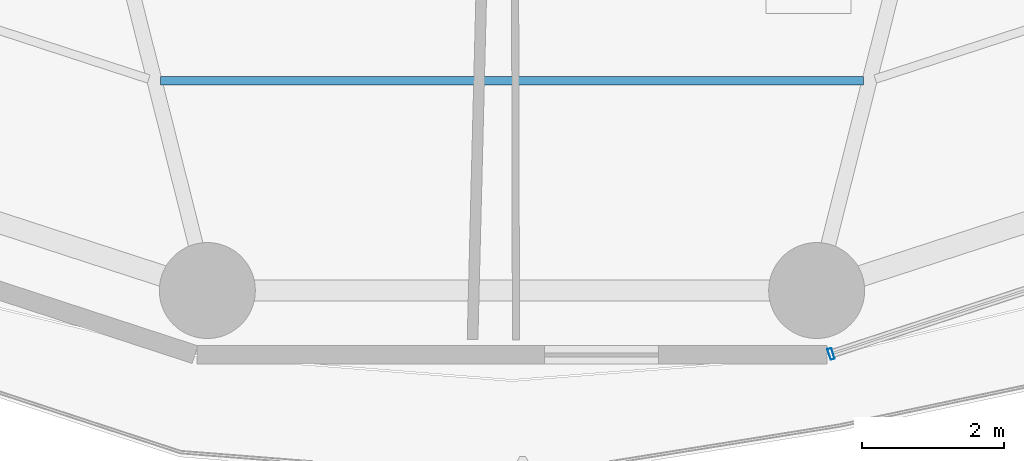
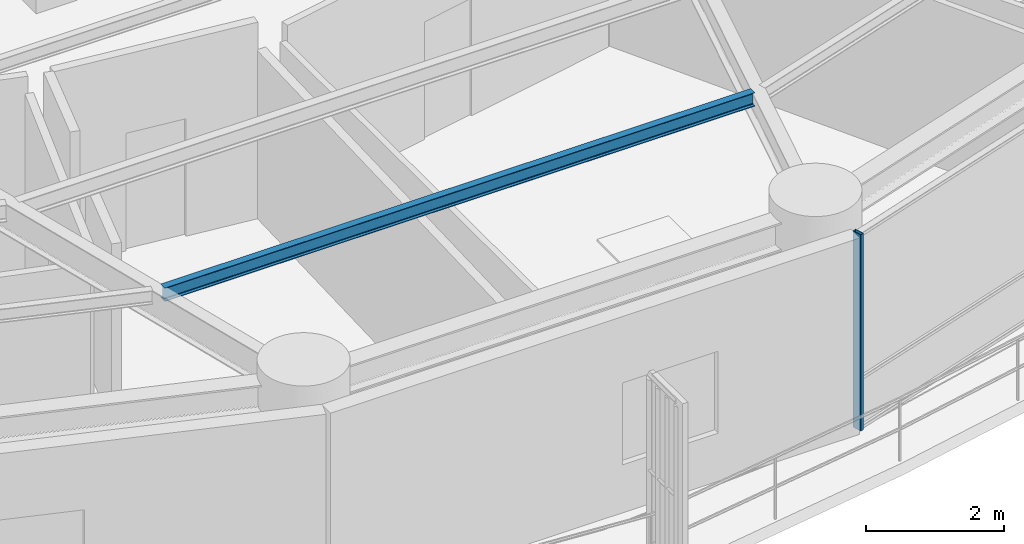
# One storey, part 4 of 35: 1 beam, 1 member, 1 element without a shape of its own.
"""IFC4 building model written with IfcOpenShell, lengths in metres."""

from ifc_helpers import new_model, si_unit, direction, frame, origin, origin_2d, place, context, subcontext, project, spatial, hollow_rectangle, i_section, extrude, material, layer, layer_set, material_profile, profile_set, type_object, element, aggregate, save


model = new_model("IFC4")

# Units and contexts
model_context = context("Model", 3, precision=1e-05, world=origin(), true_north=direction((0.0, 1.0)))
body_context = subcontext(model_context, "Body", "Model", "MODEL_VIEW")
ifc_project = project(units=[si_unit("LENGTHUNIT", "METRE"), si_unit("AREAUNIT", "SQUARE_METRE"), si_unit("VOLUMEUNIT", "CUBIC_METRE"), si_unit("PLANEANGLEUNIT", "RADIAN"), si_unit("MASSUNIT", "GRAM", prefix="KILO")], contexts=[model_context])

# Site, building, storey
site_placement = place(None, origin())
site = spatial("IfcSite", under=ifc_project, at=site_placement, CompositionType="ELEMENT")
building_placement = place(site_placement, origin())
building = spatial("IfcBuilding", under=site, at=building_placement, Name="Kelanora Arch Commons", CompositionType="ELEMENT")
storey_placement = place(building_placement, frame((0.0, 0.0, 121.35009765625)))
storey = spatial("IfcBuildingStorey", under=building, at=storey_placement, Name="L31", CompositionType="ELEMENT", Elevation=121.35009765625)

# Beam
ifc_material_1 = material(Name="Steel S355", Category="steel")
ifc_material_profile_1 = material_profile(ifc_material_1, i_section(OverallWidth=0.1201171875, OverallDepth=0.239990234375, WebThickness=0.006103515625, FlangeThickness=0.009765625, FilletRadius=0.014892578125, at=origin_2d()), Name="IPE240")
ifc_profile_set_1 = profile_set([ifc_material_profile_1], Name="Steel S355")
beam_type = type_object("IfcBeamType", Name="BM-JST-02", PredefinedType="JOIST", material=ifc_profile_set_1)
beam_placement = place(storey_placement, frame((69.056396484375, 39.204345703125, 3.369873046875), z_axis=(1.0, 0.0, 0.0), x_axis=(0.0, 1.0, 0.0)))
element("IfcBeam", 1, at=beam_placement, inside=storey, type_object=beam_type, Name="Secondary Chord Joist BJC-26 L31", PredefinedType="JOIST", context=body_context, shape_type="SweptSolid", body=[
    extrude(i_section(OverallWidth=0.1201171875, OverallDepth=0.239990234375, WebThickness=0.006103515625, FlangeThickness=0.009765625, FilletRadius=0.014892578125, at=origin_2d()), origin(), (0.0, 0.0, 1.0), 9.88720703125),
])

# Curtain wall, member
ifc_material_2 = material(Name="Terracotta ceramic-fritted low-E glass and aluminium", Category="masonry")
ifc_layer = layer(ifc_material_2, 0.159912109375)
ifc_layer_set = layer_set([ifc_layer], Name="Terracotta ceramic-fritted low-E glass and aluminium")
curtain_wall_type = type_object("IfcCurtainWallType", Name="CW-SYS-01", PredefinedType="NOTDEFINED", material=ifc_layer_set)
curtain_wall_placement = place(storey_placement, origin())
curtain_wall = element("IfcCurtainWall", 2, at=curtain_wall_placement, inside=storey, type_object=curtain_wall_type, Name="Unitised Curtain Wall L31-B14", PredefinedType="NOTDEFINED")
ifc_material_3 = material(Name="Powder-coated aluminium terracotta", Category="masonry")
ifc_material_profile_2 = material_profile(ifc_material_3, hollow_rectangle(XDim=0.159912109375, YDim=0.06005859375, WallThickness=0.0048828125, InnerFilletRadius=0.0048828125, OuterFilletRadius=0.010009765625, at=origin_2d()), Name="CWM160x60")
ifc_profile_set_2 = profile_set([ifc_material_profile_2], Name="Powder-coated aluminium terracotta")
member_type = type_object("IfcMemberType", Name="CWM-STD", PredefinedType="MULLION", material=ifc_profile_set_2)
member_placement = place(storey_placement, frame((78.48828125, 35.363525390625, 0.0), z_axis=(0.0, 0.0, 1.0), x_axis=(-0.31080470294, 0.950473795867, 0.0)))
member = element("IfcMember", 3, at=member_placement, type_object=member_type, Name="CW-01 mullion 1", PredefinedType="MULLION", context=body_context, shape_type="SweptSolid", body=[
    extrude(hollow_rectangle(XDim=0.159912109375, YDim=0.06005859375, WallThickness=0.0048828125, InnerFilletRadius=0.0048828125, OuterFilletRadius=0.010009765625, at=origin_2d()), origin(), (0.0, 0.0, 1.0), 3.474853515625),
])
aggregate(curtain_wall, [member])

save(model, "model.ifc")
